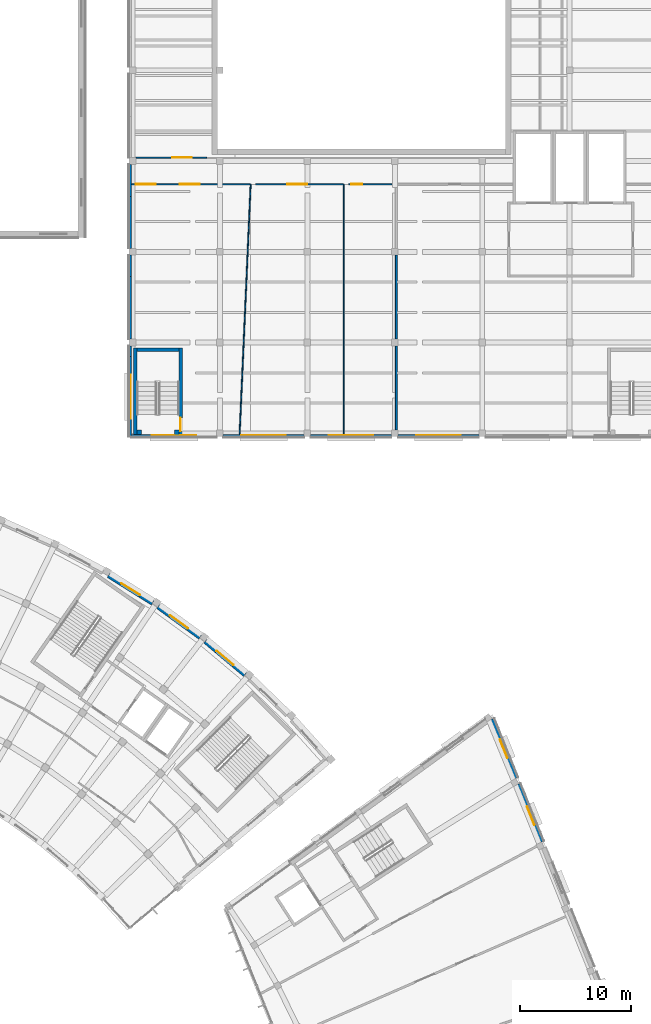
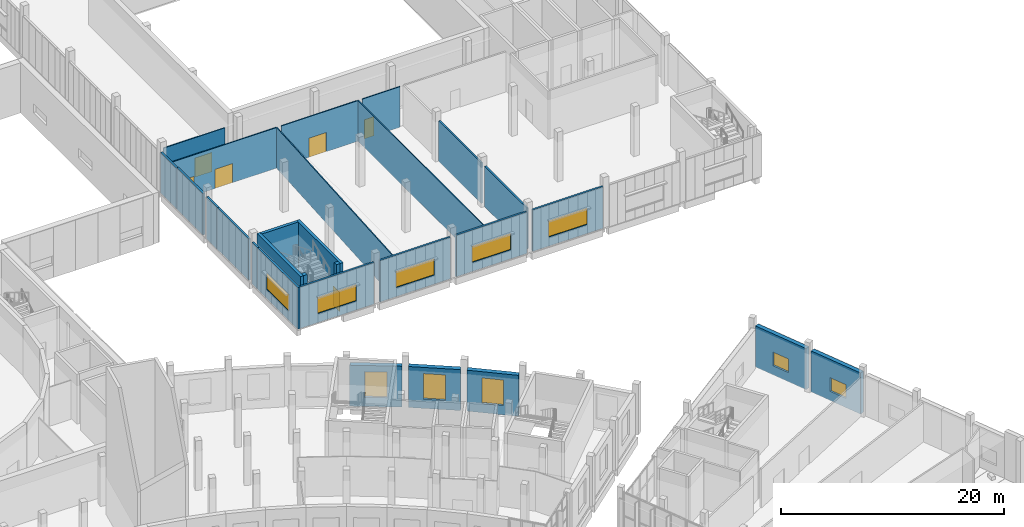
# One storey, part 44 of 87: 28 walls, 10 windows, 6 doors, 16 openings.
"""IFC4 building model written with IfcOpenShell, lengths in metres."""

from ifc_helpers import new_model, si_unit, direction, frame, frame_2d, origin, place, context, subcontext, project, spatial, rectangle, extrude, material, layer, layer_set, type_object, element, fill, save


model = new_model("IFC4")

# Units and contexts
model_context = context("Model", 3, precision=1e-05, world=origin(), true_north=direction((0.0, 1.0)))
body_context = subcontext(model_context, "Body", "Model", "MODEL_VIEW")
ifc_project = project(units=[si_unit("LENGTHUNIT", "METRE"), si_unit("AREAUNIT", "SQUARE_METRE"), si_unit("VOLUMEUNIT", "CUBIC_METRE"), si_unit("PLANEANGLEUNIT", "RADIAN"), si_unit("MASSUNIT", "GRAM", prefix="KILO")], contexts=[model_context])

# Site, building, storey
site_placement = place(None, origin())
site = spatial("IfcSite", under=ifc_project, at=site_placement, CompositionType="ELEMENT")
building_placement = place(site_placement, origin())
building = spatial("IfcBuilding", under=site, at=building_placement, Name="Lunette Opera House", CompositionType="ELEMENT")
storey_placement = place(building_placement, frame((0.0, 0.0, 11.5)))
storey = spatial("IfcBuildingStorey", under=building, at=storey_placement, Name="L02", CompositionType="ELEMENT", Elevation=11.5)

# Walls
ifc_material_1 = material(Name="Plastered clay blockwork", Category="masonry")
ifc_layer_1 = layer(ifc_material_1, 0.175048828125)
ifc_layer_set_1 = layer_set([ifc_layer_1], Name="Plastered clay blockwork")
wall_type_1 = type_object("IfcWallType", Name="ACOUSTIC BLOCK PARTITION 175", PredefinedType="PARTITIONING", material=ifc_layer_set_1)
for number, where, z_axis, x_axis, name in (
    (1, (160.137939453125, 94.39990234375, 0.0), (0.0, 0.0, 1.0), (0.0, -1.0, 0.0), "Partition Prop Store"),
    (2, (160.137939453125, 86.199951171875, 0.0), (0.0, 0.0, 1.0), (0.0, -1.0, 0.0), "Partition Prop Store"),
):
    element("IfcWall", number, at=place(storey_placement, frame(where, z_axis=z_axis, x_axis=x_axis)), inside=storey, type_object=wall_type_1, Name=name, PredefinedType="PARTITIONING", context=body_context, shape_type="SweptSolid", body=[
        extrude(rectangle(XDim=7.599853515625, YDim=0.175048828125, at=frame_2d((3.7998046875, 0.0))), origin(), (0.0, 0.0, 1.0), 4.449951171875),
    ])

# Wall, opening, window
ifc_material_2 = material(Name="Clinker brick", Category="masonry")
ifc_layer_2 = layer(ifc_material_2, 0.449951171875)
ifc_layer_set_2 = layer_set([ifc_layer_2], Name="Clinker brick")
wall_type_2 = type_object("IfcWallType", Name="ARM RAIN SCREEN WALL 450", PredefinedType="SOLIDWALL", material=ifc_layer_set_2)
wall_1_placement = place(storey_placement, frame((134.14208984375, 65.464111328125, 0.0), z_axis=(0.0, 0.0, 1.0), x_axis=(0.84803632456, -0.529938102259, 0.0)))
wall_1 = element("IfcWall", 3, at=wall_1_placement, inside=storey, type_object=wall_type_2, Name="Arm Rain Screen Wall 450 BW-CE04 L02", PredefinedType="SOLIDWALL", context=body_context, shape_type="SweptSolid", body=[
    extrude(rectangle(XDim=4.689453125, YDim=0.449951171875, at=frame_2d((2.3447265625, 0.0))), origin(), (0.0, 0.0, 1.0), 4.47998046875),
])
opening_1_placement = place(wall_1_placement, frame((1.343994140625, 0.0, 1.0)))
opening_1 = element("IfcOpeningElement", 4, at=opening_1_placement, cuts=wall_1, Name="Opening FC-N2155", PredefinedType="OPENING", context=body_context, shape_type="SweptSolid", body=[
    extrude(rectangle(XDim=2.0, YDim=2.800048828125, at=frame_2d((1.0, 1.39990234375))), frame((0.0, 0.237060546875, 0.0), z_axis=(0.0, -1.0, 0.0), x_axis=(1.0, 0.0, 0.0)), (0.0, 0.0, 1.0), 0.473876953125),
])
ifc_material_3 = material(Name="Aluminium", Category="aluminium")
window_type_1 = type_object("IfcWindowType", Name="ARM WINDOW 2000 X 2800", PartitioningType="DOUBLE_PANEL_VERTICAL", PredefinedType="WINDOW", material=ifc_material_3)
window_1_placement = place(opening_1_placement, origin())
window_1 = element("IfcWindow", 5, at=window_1_placement, inside=storey, type_object=window_type_1, Name="Arm Window 2000 X 2800 BW-CE04 L02", OverallHeight=2.800048828125, OverallWidth=2.0, PartitioningType="DOUBLE_PANEL_VERTICAL", PredefinedType="WINDOW", context=body_context, shape_type="SweptSolid", body=[
    extrude(rectangle(XDim=2.0, YDim=2.800048828125, at=frame_2d((1.0, 1.39990234375))), frame((0.0, 0.030029296875, 0.0), z_axis=(0.0, -1.0, 0.0), x_axis=(1.0, 0.0, 0.0)), (0.0, 0.0, 1.0), 0.06005859375),
])
fill(opening_1, window_1)

wall_2_placement = place(storey_placement, frame((138.615966796875, 62.64404296875, 0.0), z_axis=(0.0, 0.0, 1.0), x_axis=(0.808981453193, -0.587834167423, 0.0)))
wall_2 = element("IfcWall", 6, at=wall_2_placement, inside=storey, type_object=wall_type_2, Name="Arm Rain Screen Wall 450 BW-CE05 L02", PredefinedType="SOLIDWALL", context=body_context, shape_type="SweptSolid", body=[
    extrude(rectangle(XDim=4.6884765625, YDim=0.449951171875, at=frame_2d((2.34423828125, 0.0))), origin(), (0.0, 0.0, 1.0), 4.47998046875),
])
opening_2_placement = place(wall_2_placement, frame((1.343994140625, 0.0, 1.0)))
opening_2 = element("IfcOpeningElement", 7, at=opening_2_placement, cuts=wall_2, Name="Opening FC-N2160", PredefinedType="OPENING", context=body_context, shape_type="SweptSolid", body=[
    extrude(rectangle(XDim=2.0, YDim=2.800048828125, at=frame_2d((1.0, 1.39990234375))), frame((0.0, 0.237060546875, 0.0), z_axis=(0.0, -1.0, 0.0), x_axis=(1.0, 0.0, 0.0)), (0.0, 0.0, 1.0), 0.473876953125),
])
window_2_placement = place(opening_2_placement, origin())
window_2 = element("IfcWindow", 8, at=window_2_placement, inside=storey, type_object=window_type_1, Name="Arm Window 2000 X 2800 BW-CE05 L02", OverallHeight=2.800048828125, OverallWidth=2.0, PartitioningType="DOUBLE_PANEL_VERTICAL", PredefinedType="WINDOW", context=body_context, shape_type="SweptSolid", body=[
    extrude(rectangle(XDim=2.0, YDim=2.800048828125, at=frame_2d((1.0, 1.39990234375))), frame((0.0, 0.030029296875, 0.0), z_axis=(0.0, -1.0, 0.0), x_axis=(1.0, 0.0, 0.0)), (0.0, 0.0, 1.0), 0.06005859375),
])
fill(opening_2, window_2)

wall_3_placement = place(storey_placement, frame((142.882080078125, 59.51904296875, 0.0), z_axis=(0.0, 0.0, 1.0), x_axis=(0.765928460401, -0.642925807187, 0.0)))
wall_3 = element("IfcWall", 9, at=wall_3_placement, inside=storey, type_object=wall_type_2, Name="Arm Rain Screen Wall 450 BW-CE06 L02", PredefinedType="SOLIDWALL", context=body_context, shape_type="SweptSolid", body=[
    extrude(rectangle(XDim=4.688232421875, YDim=0.449951171875, at=frame_2d((2.34423828125, 0.0))), origin(), (0.0, 0.0, 1.0), 4.47998046875),
])
opening_3_placement = place(wall_3_placement, frame((1.343994140625, 0.0, 1.0)))
opening_3 = element("IfcOpeningElement", 10, at=opening_3_placement, cuts=wall_3, Name="Opening FC-N2165", PredefinedType="OPENING", context=body_context, shape_type="SweptSolid", body=[
    extrude(rectangle(XDim=2.0, YDim=2.800048828125, at=frame_2d((1.0, 1.39990234375))), frame((0.0, 0.237060546875, 0.0), z_axis=(0.0, -1.0, 0.0), x_axis=(1.0, 0.0, 0.0)), (0.0, 0.0, 1.0), 0.473876953125),
])
window_3_placement = place(opening_3_placement, origin())
window_3 = element("IfcWindow", 11, at=window_3_placement, inside=storey, type_object=window_type_1, Name="Arm Window 2000 X 2800 BW-CE06 L02", OverallHeight=2.800048828125, OverallWidth=2.0, PartitioningType="DOUBLE_PANEL_VERTICAL", PredefinedType="WINDOW", context=body_context, shape_type="SweptSolid", body=[
    extrude(rectangle(XDim=2.0, YDim=2.800048828125, at=frame_2d((1.0, 1.39990234375))), frame((0.0, 0.030029296875, 0.0), z_axis=(0.0, -1.0, 0.0), x_axis=(1.0, 0.0, 0.0)), (0.0, 0.0, 1.0), 0.06005859375),
])
fill(opening_3, window_3)

# Walls
ifc_material_4 = material(Name="Concrete C35/45", Category="concrete")
ifc_layer_3 = layer(ifc_material_4, 0.39990234375)
ifc_layer_set_3 = layer_set([ifc_layer_3], Name="Concrete C35/45")
wall_type_3 = type_object("IfcWallType", Name="RC PILASTER 400", PredefinedType="SOLIDWALL", material=ifc_layer_set_3)
wall_4_placement = place(storey_placement, frame((136.699951171875, 78.39990234375, 0.0), z_axis=(0.0, 0.0, 1.0), x_axis=(1.0, 0.0, 0.0)))
element("IfcWall", 12, at=wall_4_placement, inside=storey, type_object=wall_type_3, Name="ST18 pilaster 1", PredefinedType="SOLIDWALL", context=body_context, shape_type="SweptSolid", body=[
    extrude(rectangle(XDim=0.400146484375, YDim=0.39990234375, at=frame_2d((0.2001953125, 0.0))), origin(), (0.0, 0.0, 1.0), 5.5),
])
wall_5_placement = place(storey_placement, frame((140.10009765625, 78.39990234375, 0.0), z_axis=(0.0, 0.0, 1.0), x_axis=(1.0, 0.0, 0.0)))
element("IfcWall", 13, at=wall_5_placement, inside=storey, type_object=wall_type_3, Name="ST18 pilaster 2", PredefinedType="SOLIDWALL", context=body_context, shape_type="SweptSolid", body=[
    extrude(rectangle(XDim=0.39990234375, YDim=0.39990234375, at=frame_2d((0.199951171875, 0.0))), origin(), (0.0, 0.0, 1.0), 5.5),
])

# Wall, opening, door
ifc_material_5 = material(Name="Concrete C35/45", Category="concrete")
ifc_layer_4 = layer(ifc_material_5, 0.300048828125)
ifc_layer_set_4 = layer_set([ifc_layer_4], Name="Concrete C35/45")
wall_type_4 = type_object("IfcWallType", Name="RC STAIR ENCLOSURE WALL 300", PredefinedType="SOLIDWALL", material=ifc_layer_set_4)
wall_6_placement = place(storey_placement, frame((140.64990234375, 78.199951171875, 0.0), z_axis=(0.0, 0.0, 1.0), x_axis=(0.0, 1.0, 0.0)))
wall_6 = element("IfcWall", 14, at=wall_6_placement, inside=storey, type_object=wall_type_4, Name="ST18 enclosure wall 1", PredefinedType="SOLIDWALL", context=body_context, shape_type="SweptSolid", body=[
    extrude(rectangle(XDim=7.800048828125, YDim=0.300048828125, at=frame_2d((3.89990234375, 0.0))), origin(), (0.0, 0.0, 1.0), 5.5),
])
opening_4_placement = place(wall_6_placement, frame((0.300048828125, 0.0, 0.0)))
opening_4 = element("IfcOpeningElement", 15, at=opening_4_placement, cuts=wall_6, Name="Opening WW-D7004", PredefinedType="OPENING", context=body_context, shape_type="SweptSolid", body=[
    extrude(rectangle(XDim=1.199951171875, YDim=2.10009765625, at=frame_2d((0.60009765625, 1.050048828125))), frame((0.0, 0.162109375, 0.0), z_axis=(0.0, -1.0, 0.0), x_axis=(1.0, 0.0, 0.0)), (0.0, 0.0, 1.0), 0.323974609375),
])
ifc_material_6 = material(Name="Steel", Category="steel")
door_type_1 = type_object("IfcDoorType", Name="FIRE DOOR 1200 X 2100", OperationType="SINGLE_SWING_LEFT", PredefinedType="DOOR", material=ifc_material_6)
door_1_placement = place(opening_4_placement, origin())
door_1 = element("IfcDoor", 16, at=door_1_placement, inside=storey, type_object=door_type_1, Name="ST18 stair door", OperationType="SINGLE_SWING_LEFT", OverallHeight=2.10009765625, OverallWidth=1.199951171875, PredefinedType="DOOR", context=body_context, shape_type="SweptSolid", body=[
    extrude(rectangle(XDim=1.199951171875, YDim=2.10009765625, at=frame_2d((0.60009765625, 1.050048828125))), frame((0.0, 0.02490234375, 0.0), z_axis=(0.0, -1.0, 0.0), x_axis=(1.0, 0.0, 0.0)), (0.0, 0.0, 1.0), 0.050048828125),
])
fill(opening_4, door_1)

# Walls
wall_7_placement = place(storey_placement, frame((140.5, 85.85009765625, 0.0), z_axis=(0.0, 0.0, 1.0), x_axis=(-1.0, 0.0, 0.0)))
element("IfcWall", 17, at=wall_7_placement, inside=storey, type_object=wall_type_4, Name="ST18 enclosure wall 2", PredefinedType="SOLIDWALL", context=body_context, shape_type="SweptSolid", body=[
    extrude(rectangle(XDim=3.800048828125, YDim=0.300048828125, at=frame_2d((1.89990234375, 0.0))), origin(), (0.0, 0.0, 1.0), 5.5),
])
wall_8_placement = place(storey_placement, frame((136.550048828125, 86.0, 0.0), z_axis=(0.0, 0.0, 1.0), x_axis=(0.0, -1.0, 0.0)))
element("IfcWall", 18, at=wall_8_placement, inside=storey, type_object=wall_type_4, Name="ST18 enclosure wall 3", PredefinedType="SOLIDWALL", context=body_context, shape_type="SweptSolid", body=[
    extrude(rectangle(XDim=7.800048828125, YDim=0.300048828125, at=frame_2d((3.89990234375, 0.0))), origin(), (0.0, 0.0, 1.0), 5.5),
])
ifc_material_7 = material(Name="Gypsum board on steel studs", Category="steel")
ifc_layer_5 = layer(ifc_material_7, 0.10009765625)
ifc_layer_set_5 = layer_set([ifc_layer_5], Name="Gypsum board on steel studs")
wall_type_5 = type_object("IfcWallType", Name="STUD PARTITION 100", PredefinedType="PARTITIONING", material=ifc_layer_set_5)
wall_9_placement = place(storey_placement, frame((146.97900390625, 100.800048828125, 0.0), z_axis=(0.0, 0.0, 1.0), x_axis=(-0.044161260763, -0.999024415642, 0.0)))
element("IfcWall", 19, at=wall_9_placement, inside=storey, type_object=wall_type_5, Name="Partition Model Making Studio", PredefinedType="PARTITIONING", context=body_context, shape_type="SweptSolid", body=[
    extrude(rectangle(XDim=22.6220703125, YDim=0.10009765625, at=frame_2d((11.31103515625, 0.0))), origin(), (0.0, 0.0, 1.0), 4.449951171875),
])
wall_10_placement = place(storey_placement, frame((155.40087890625, 100.800048828125, 0.0), z_axis=(0.0, 0.0, 1.0), x_axis=(0.0, -1.0, 0.0)))
element("IfcWall", 20, at=wall_10_placement, inside=storey, type_object=wall_type_5, Name="Partition Workshop Staff Room", PredefinedType="PARTITIONING", context=body_context, shape_type="SweptSolid", body=[
    extrude(rectangle(XDim=22.60009765625, YDim=0.10009765625, at=frame_2d((11.300048828125, 0.0))), origin(), (0.0, 0.0, 1.0), 4.449951171875),
])

# Wall, openings, doors
wall_11_placement = place(storey_placement, frame((136.199951171875, 100.800048828125, 0.0), z_axis=(0.0, 0.0, 1.0), x_axis=(1.0, 0.0, 0.0)))
wall_11 = element("IfcWall", 21, at=wall_11_placement, inside=storey, type_object=wall_type_5, Name="Partition Corridor L02 Workshop West South", PredefinedType="PARTITIONING", context=body_context, shape_type="SweptSolid", body=[
    extrude(rectangle(XDim=10.72802734375, YDim=0.10009765625, at=frame_2d((5.364013671875, 0.0))), origin(), (0.0, 0.0, 1.0), 4.449951171875),
])
opening_5_placement = place(wall_11_placement, frame((4.389892578125, 0.0, 0.0)))
opening_5 = element("IfcOpeningElement", 22, at=opening_5_placement, cuts=wall_11, Name="Opening WW-D3033", PredefinedType="OPENING", context=body_context, shape_type="SweptSolid", body=[
    extrude(rectangle(XDim=1.800048828125, YDim=2.10009765625, at=frame_2d((0.89990234375, 1.050048828125))), frame((0.0, 0.06201171875, 0.0), z_axis=(0.0, -1.0, 0.0), x_axis=(1.0, 0.0, 0.0)), (0.0, 0.0, 1.0), 0.1240234375),
])
opening_6_placement = place(wall_11_placement, frame((0.389892578125, 0.0, 0.0)))
opening_6 = element("IfcOpeningElement", 23, at=opening_6_placement, cuts=wall_11, Name="Opening WW-D3034", PredefinedType="OPENING", context=body_context, shape_type="SweptSolid", body=[
    extrude(rectangle(XDim=1.800048828125, YDim=2.10009765625, at=frame_2d((0.89990234375, 1.050048828125))), frame((0.0, 0.06201171875, 0.0), z_axis=(0.0, -1.0, 0.0), x_axis=(1.0, 0.0, 0.0)), (0.0, 0.0, 1.0), 0.1240234375),
])
ifc_material_8 = material(Name="Timber", Category="wood")
door_type_2 = type_object("IfcDoorType", Name="DOUBLE FLUSH DOOR 1800 X 2100", OperationType="DOUBLE_DOOR_SINGLE_SWING", PredefinedType="DOOR", material=ifc_material_8)
door_2_placement = place(opening_5_placement, origin())
door_2 = element("IfcDoor", 24, at=door_2_placement, inside=storey, type_object=door_type_2, Name="Textile Studio door", OperationType="DOUBLE_DOOR_SINGLE_SWING", OverallHeight=2.10009765625, OverallWidth=1.800048828125, PredefinedType="DOOR", context=body_context, shape_type="SweptSolid", body=[
    extrude(rectangle(XDim=1.800048828125, YDim=2.10009765625, at=frame_2d((0.89990234375, 1.050048828125))), frame((0.0, 0.02490234375, 0.0), z_axis=(0.0, -1.0, 0.0), x_axis=(1.0, 0.0, 0.0)), (0.0, 0.0, 1.0), 0.050048828125),
])
fill(opening_5, door_2)
door_3_placement = place(opening_6_placement, origin())
door_3 = element("IfcDoor", 25, at=door_3_placement, inside=storey, type_object=door_type_2, Name="Textile Studio door", OperationType="DOUBLE_DOOR_SINGLE_SWING", OverallHeight=2.10009765625, OverallWidth=1.800048828125, PredefinedType="DOOR", context=body_context, shape_type="SweptSolid", body=[
    extrude(rectangle(XDim=1.800048828125, YDim=2.10009765625, at=frame_2d((0.89990234375, 1.050048828125))), frame((0.0, 0.02490234375, 0.0), z_axis=(0.0, -1.0, 0.0), x_axis=(1.0, 0.0, 0.0)), (0.0, 0.0, 1.0), 0.050048828125),
])
fill(opening_6, door_3)

# Wall, opening, door
wall_12_placement = place(storey_placement, frame((143.0, 103.199951171875, 0.0), z_axis=(0.0, 0.0, 1.0), x_axis=(-1.0, 0.0, 0.0)))
wall_12 = element("IfcWall", 26, at=wall_12_placement, inside=storey, type_object=wall_type_5, Name="Partition Corridor L02 Workshop West South", PredefinedType="PARTITIONING", context=body_context, shape_type="SweptSolid", body=[
    extrude(rectangle(XDim=6.39892578125, YDim=0.10009765625, at=frame_2d((3.199462890625, 0.0))), origin(), (0.0, 0.0, 1.0), 4.35009765625),
])
opening_7_placement = place(wall_12_placement, frame((1.326904296875, 0.0, 0.0)))
opening_7 = element("IfcOpeningElement", 27, at=opening_7_placement, cuts=wall_12, Name="Opening WW-D3035", PredefinedType="OPENING", context=body_context, shape_type="SweptSolid", body=[
    extrude(rectangle(XDim=1.800048828125, YDim=2.10009765625, at=frame_2d((0.89990234375, 1.050048828125))), frame((0.0, 0.06201171875, 0.0), z_axis=(0.0, -1.0, 0.0), x_axis=(1.0, 0.0, 0.0)), (0.0, 0.0, 1.0), 0.1240234375),
])
door_4_placement = place(opening_7_placement, origin())
door_4 = element("IfcDoor", 28, at=door_4_placement, inside=storey, type_object=door_type_2, Name="Armoury and Props Workshop door", OperationType="DOUBLE_DOOR_SINGLE_SWING", OverallHeight=2.10009765625, OverallWidth=1.800048828125, PredefinedType="DOOR", context=body_context, shape_type="SweptSolid", body=[
    extrude(rectangle(XDim=1.800048828125, YDim=2.10009765625, at=frame_2d((0.89990234375, 1.050048828125))), frame((0.0, 0.02490234375, 0.0), z_axis=(0.0, -1.0, 0.0), x_axis=(1.0, 0.0, 0.0)), (0.0, 0.0, 1.0), 0.050048828125),
])
fill(opening_7, door_4)

wall_13_placement = place(storey_placement, frame((147.427978515625, 100.800048828125, 0.0), z_axis=(0.0, 0.0, 1.0), x_axis=(1.0, 0.0, 0.0)))
wall_13 = element("IfcWall", 29, at=wall_13_placement, inside=storey, type_object=wall_type_5, Name="Partition Corridor L02 Workshop West South", PredefinedType="PARTITIONING", context=body_context, shape_type="SweptSolid", body=[
    extrude(rectangle(XDim=7.923095703125, YDim=0.10009765625, at=frame_2d((3.96142578125, 0.0))), origin(), (0.0, 0.0, 1.0), 4.449951171875),
])
opening_8_placement = place(wall_13_placement, frame((2.862060546875, 0.0, 0.0)))
opening_8 = element("IfcOpeningElement", 30, at=opening_8_placement, cuts=wall_13, Name="Opening WW-D3036", PredefinedType="OPENING", context=body_context, shape_type="SweptSolid", body=[
    extrude(rectangle(XDim=1.800048828125, YDim=2.10009765625, at=frame_2d((0.89990234375, 1.050048828125))), frame((0.0, 0.06201171875, 0.0), z_axis=(0.0, -1.0, 0.0), x_axis=(1.0, 0.0, 0.0)), (0.0, 0.0, 1.0), 0.1240234375),
])
door_5_placement = place(opening_8_placement, origin())
door_5 = element("IfcDoor", 31, at=door_5_placement, inside=storey, type_object=door_type_2, Name="Model Making Studio door", OperationType="DOUBLE_DOOR_SINGLE_SWING", OverallHeight=2.10009765625, OverallWidth=1.800048828125, PredefinedType="DOOR", context=body_context, shape_type="SweptSolid", body=[
    extrude(rectangle(XDim=1.800048828125, YDim=2.10009765625, at=frame_2d((0.89990234375, 1.050048828125))), frame((0.0, 0.02490234375, 0.0), z_axis=(0.0, -1.0, 0.0), x_axis=(1.0, 0.0, 0.0)), (0.0, 0.0, 1.0), 0.050048828125),
])
fill(opening_8, door_5)

wall_14_placement = place(storey_placement, frame((155.85107421875, 100.800048828125, 0.0), z_axis=(0.0, 0.0, 1.0), x_axis=(1.0, 0.0, 0.0)))
wall_14 = element("IfcWall", 32, at=wall_14_placement, inside=storey, type_object=wall_type_5, Name="Partition Corridor L02 Workshop West South", PredefinedType="PARTITIONING", context=body_context, shape_type="SweptSolid", body=[
    extrude(rectangle(XDim=3.875, YDim=0.10009765625, at=frame_2d((1.9375, 0.0))), origin(), (0.0, 0.0, 1.0), 4.449951171875),
])
opening_9_placement = place(wall_14_placement, frame((0.199951171875, 0.0, 0.0)))
opening_9 = element("IfcOpeningElement", 33, at=opening_9_placement, cuts=wall_14, Name="Opening WW-D3038", PredefinedType="OPENING", context=body_context, shape_type="SweptSolid", body=[
    extrude(rectangle(XDim=1.0, YDim=2.10009765625, at=frame_2d((0.5, 1.050048828125))), frame((0.0, 0.06201171875, 0.0), z_axis=(0.0, -1.0, 0.0), x_axis=(1.0, 0.0, 0.0)), (0.0, 0.0, 1.0), 0.1240234375),
])
ifc_material_9 = material(Name="Timber", Category="wood")
door_type_3 = type_object("IfcDoorType", Name="FLUSH DOOR 1000 X 2100", OperationType="SINGLE_SWING_LEFT", PredefinedType="DOOR", material=ifc_material_9)
door_6_placement = place(opening_9_placement, origin())
door_6 = element("IfcDoor", 34, at=door_6_placement, inside=storey, type_object=door_type_3, Name="Workshop Staff Room door", OperationType="SINGLE_SWING_LEFT", OverallHeight=2.10009765625, OverallWidth=1.0, PredefinedType="DOOR", context=body_context, shape_type="SweptSolid", body=[
    extrude(rectangle(XDim=1.0, YDim=2.10009765625, at=frame_2d((0.5, 1.050048828125))), frame((0.0, 0.02490234375, 0.0), z_axis=(0.0, -1.0, 0.0), x_axis=(1.0, 0.0, 0.0)), (0.0, 0.0, 1.0), 0.050048828125),
])
fill(opening_9, door_6)

# Wall, opening, window
ifc_material_10 = material(Name="Clinker brick", Category="masonry")
ifc_layer_6 = layer(ifc_material_10, 0.419921875)
ifc_layer_set_6 = layer_set([ifc_layer_6], Name="Clinker brick")
wall_type_6 = type_object("IfcWallType", Name="STUDIO BRICK WALL 420", PredefinedType="SOLIDWALL", material=ifc_layer_set_6)
wall_15_placement = place(storey_placement, frame((173.239990234375, 41.381103515625, 0.0), z_axis=(0.0, 0.0, 1.0), x_axis=(-0.374669966745, 0.927158247561, 0.0)))
wall_15 = element("IfcWall", 35, at=wall_15_placement, inside=storey, type_object=wall_type_6, Name="Studio Brick Wall 420 F13-2 L02", PredefinedType="SOLIDWALL", context=body_context, shape_type="SweptSolid", body=[
    extrude(rectangle(XDim=5.6181640625, YDim=0.419921875, at=frame_2d((2.80908203125, 0.0))), origin(), (0.0, 0.0, 1.0), 4.5),
])
opening_10_placement = place(wall_15_placement, frame((1.656005859375, 0.0, 1.0)))
opening_10 = element("IfcOpeningElement", 36, at=opening_10_placement, cuts=wall_15, Name="Opening SB-N2020", PredefinedType="OPENING", context=body_context, shape_type="SweptSolid", body=[
    extrude(rectangle(XDim=1.800048828125, YDim=1.5, at=frame_2d((0.89990234375, 0.75))), frame((0.0, 0.221923828125, 0.0), z_axis=(0.0, -1.0, 0.0), x_axis=(1.0, 0.0, 0.0)), (0.0, 0.0, 1.0), 0.44384765625),
])
ifc_material_11 = material(Name="Aluminium", Category="aluminium")
window_type_2 = type_object("IfcWindowType", Name="STUDIO WINDOW 1800 X 1500", PartitioningType="DOUBLE_PANEL_VERTICAL", PredefinedType="WINDOW", material=ifc_material_11)
window_4_placement = place(opening_10_placement, origin())
window_4 = element("IfcWindow", 37, at=window_4_placement, inside=storey, type_object=window_type_2, Name="Studio Window 1800 X 1500 F13-2 L02", OverallHeight=1.5, OverallWidth=1.800048828125, PartitioningType="DOUBLE_PANEL_VERTICAL", PredefinedType="WINDOW", context=body_context, shape_type="SweptSolid", body=[
    extrude(rectangle(XDim=1.800048828125, YDim=1.5, at=frame_2d((0.89990234375, 0.75))), frame((0.0, 0.030029296875, 0.0), z_axis=(0.0, -1.0, 0.0), x_axis=(1.0, 0.0, 0.0)), (0.0, 0.0, 1.0), 0.06005859375),
])
fill(opening_10, window_4)

wall_16_placement = place(storey_placement, frame((170.9208984375, 47.1201171875, 0.0), z_axis=(0.0, 0.0, 1.0), x_axis=(-0.374587433277, 0.927191595535, 0.0)))
wall_16 = element("IfcWall", 38, at=wall_16_placement, inside=storey, type_object=wall_type_6, Name="Studio Brick Wall 420 F14 L02", PredefinedType="SOLIDWALL", context=body_context, shape_type="SweptSolid", body=[
    extrude(rectangle(XDim=5.776611328125, YDim=0.419921875, at=frame_2d((2.88818359375, 0.0))), origin(), (0.0, 0.0, 1.0), 4.5),
])
opening_11_placement = place(wall_16_placement, frame((1.988037109375, 0.0, 1.0)))
opening_11 = element("IfcOpeningElement", 39, at=opening_11_placement, cuts=wall_16, Name="Opening SB-N2021", PredefinedType="OPENING", context=body_context, shape_type="SweptSolid", body=[
    extrude(rectangle(XDim=1.800048828125, YDim=1.5, at=frame_2d((0.89990234375, 0.75))), frame((0.0, 0.221923828125, 0.0), z_axis=(0.0, -1.0, 0.0), x_axis=(1.0, 0.0, 0.0)), (0.0, 0.0, 1.0), 0.44384765625),
])
window_5_placement = place(opening_11_placement, origin())
window_5 = element("IfcWindow", 40, at=window_5_placement, inside=storey, type_object=window_type_2, Name="Studio Window 1800 X 1500 F14 L02", OverallHeight=1.5, OverallWidth=1.800048828125, PartitioningType="DOUBLE_PANEL_VERTICAL", PredefinedType="WINDOW", context=body_context, shape_type="SweptSolid", body=[
    extrude(rectangle(XDim=1.800048828125, YDim=1.5, at=frame_2d((0.89990234375, 0.75))), frame((0.0, 0.030029296875, 0.0), z_axis=(0.0, -1.0, 0.0), x_axis=(1.0, 0.0, 0.0)), (0.0, 0.0, 1.0), 0.06005859375),
])
fill(opening_11, window_5)

# Walls
ifc_material_12 = material(Name="Insulated aluminium sandwich panel", Category="aluminium")
ifc_layer_7 = layer(ifc_material_12, 0.199951171875)
ifc_layer_set_7 = layer_set([ifc_layer_7], Name="Insulated aluminium sandwich panel")
wall_type_7 = type_object("IfcWallType", Name="WORKSHOP METAL PANEL WALL 200", PredefinedType="SOLIDWALL", material=ifc_layer_set_7)
wall_17_placement = place(storey_placement, frame((136.10009765625, 102.60009765625, 0.0), z_axis=(0.0, 0.0, 1.0), x_axis=(0.0, -1.0, 0.0)))
element("IfcWall", 41, at=wall_17_placement, inside=storey, type_object=wall_type_7, Name="Workshop Metal Panel Wall 200 F19-2 L02", PredefinedType="SOLIDWALL", context=body_context, shape_type="SweptSolid", body=[
    extrude(rectangle(XDim=2.925048828125, YDim=0.199951171875, at=frame_2d((1.46240234375, 0.0))), origin(), (0.0, 0.0, 1.0), 4.449951171875),
])
wall_18_placement = place(storey_placement, frame((136.10009765625, 99.675048828125, 0.0), z_axis=(0.0, 0.0, 1.0), x_axis=(0.0, -1.0, 0.0)))
element("IfcWall", 42, at=wall_18_placement, inside=storey, type_object=wall_type_7, Name="Workshop Metal Panel Wall 200 F20-1 L02", PredefinedType="SOLIDWALL", context=body_context, shape_type="SweptSolid", body=[
    extrude(rectangle(XDim=4.675048828125, YDim=0.199951171875, at=frame_2d((2.33740234375, 0.0))), origin(), (0.0, 0.0, 1.0), 4.550048828125),
])
wall_19_placement = place(storey_placement, frame((136.10009765625, 94.39990234375, 0.0), z_axis=(0.0, 0.0, 1.0), x_axis=(0.0, -1.0, 0.0)))
element("IfcWall", 43, at=wall_19_placement, inside=storey, type_object=wall_type_7, Name="Workshop Metal Panel Wall 200 F20-2 L02", PredefinedType="SOLIDWALL", context=body_context, shape_type="SweptSolid", body=[
    extrude(rectangle(XDim=1.949951171875, YDim=0.199951171875, at=frame_2d((0.97509765625, 0.0))), origin(), (0.0, 0.0, 1.0), 4.550048828125),
])
wall_20_placement = place(storey_placement, frame((136.10009765625, 92.449951171875, 0.0), z_axis=(0.0, 0.0, 1.0), x_axis=(0.0, -1.0, 0.0)))
element("IfcWall", 44, at=wall_20_placement, inside=storey, type_object=wall_type_7, Name="Workshop Metal Panel Wall 200 F21-1 L02", PredefinedType="SOLIDWALL", context=body_context, shape_type="SweptSolid", body=[
    extrude(rectangle(XDim=5.64990234375, YDim=0.199951171875, at=frame_2d((2.824951171875, 0.0))), origin(), (0.0, 0.0, 1.0), 4.550048828125),
])
wall_21_placement = place(storey_placement, frame((136.10009765625, 86.199951171875, 0.0), z_axis=(0.0, 0.0, 1.0), x_axis=(0.0, -1.0, 0.0)))
element("IfcWall", 45, at=wall_21_placement, inside=storey, type_object=wall_type_7, Name="Workshop Metal Panel Wall 200 F21-2 L02", PredefinedType="SOLIDWALL", context=body_context, shape_type="SweptSolid", body=[
    extrude(rectangle(XDim=0.974853515625, YDim=0.199951171875, at=frame_2d((0.4873046875, 0.0))), origin(), (0.0, 0.0, 1.0), 4.550048828125),
])

# Wall, opening, window
wall_22_placement = place(storey_placement, frame((136.10009765625, 85.22509765625, 0.0), z_axis=(0.0, 0.0, 1.0), x_axis=(0.0, -1.0, 0.0)))
wall_22 = element("IfcWall", 46, at=wall_22_placement, inside=storey, type_object=wall_type_7, Name="Workshop Metal Panel Wall 200 F22 L02", PredefinedType="SOLIDWALL", context=body_context, shape_type="SweptSolid", body=[
    extrude(rectangle(XDim=7.22509765625, YDim=0.199951171875, at=frame_2d((3.612548828125, 0.0))), origin(), (0.0, 0.0, 1.0), 4.550048828125),
])
opening_12_placement = place(wall_22_placement, frame((1.612060546875, 0.0, 1.0)))
opening_12 = element("IfcOpeningElement", 47, at=opening_12_placement, cuts=wall_22, Name="Opening WW-N2026", PredefinedType="OPENING", context=body_context, shape_type="SweptSolid", body=[
    extrude(rectangle(XDim=4.0, YDim=1.800048828125, at=frame_2d((2.0, 0.89990234375))), frame((0.0, 0.112060546875, 0.0), z_axis=(0.0, -1.0, 0.0), x_axis=(1.0, 0.0, 0.0)), (0.0, 0.0, 1.0), 0.223876953125),
])
ifc_material_13 = material(Name="Aluminium", Category="aluminium")
window_type_3 = type_object("IfcWindowType", Name="WORKSHOP RIBBON WINDOW 4000 X 1800", PartitioningType="DOUBLE_PANEL_VERTICAL", PredefinedType="WINDOW", material=ifc_material_13)
window_6_placement = place(opening_12_placement, origin())
window_6 = element("IfcWindow", 48, at=window_6_placement, inside=storey, type_object=window_type_3, Name="Workshop Ribbon Window 4000 X 1800 F22 L02", OverallHeight=1.800048828125, OverallWidth=4.0, PartitioningType="DOUBLE_PANEL_VERTICAL", PredefinedType="WINDOW", context=body_context, shape_type="SweptSolid", body=[
    extrude(rectangle(XDim=4.0, YDim=1.800048828125, at=frame_2d((2.0, 0.89990234375))), frame((0.0, 0.030029296875, 0.0), z_axis=(0.0, -1.0, 0.0), x_axis=(1.0, 0.0, 0.0)), (0.0, 0.0, 1.0), 0.06005859375),
])
fill(opening_12, window_6)

wall_23_placement = place(storey_placement, frame((136.199951171875, 78.10009765625, 0.0), z_axis=(0.0, 0.0, 1.0), x_axis=(1.0, 0.0, 0.0)))
wall_23 = element("IfcWall", 49, at=wall_23_placement, inside=storey, type_object=wall_type_7, Name="Workshop Metal Panel Wall 200 F23 L02", PredefinedType="SOLIDWALL", context=body_context, shape_type="SweptSolid", body=[
    extrude(rectangle(XDim=7.699951171875, YDim=0.199951171875, at=frame_2d((3.85009765625, 0.0))), origin(), (0.0, 0.0, 1.0), 4.550048828125),
])
opening_13_placement = place(wall_23_placement, frame((1.85009765625, 0.0, 1.0)))
opening_13 = element("IfcOpeningElement", 50, at=opening_13_placement, cuts=wall_23, Name="Opening WW-N2027", PredefinedType="OPENING", context=body_context, shape_type="SweptSolid", body=[
    extrude(rectangle(XDim=4.0, YDim=1.800048828125, at=frame_2d((2.0, 0.89990234375))), frame((0.0, 0.112060546875, 0.0), z_axis=(0.0, -1.0, 0.0), x_axis=(1.0, 0.0, 0.0)), (0.0, 0.0, 1.0), 0.223876953125),
])
window_7_placement = place(opening_13_placement, origin())
window_7 = element("IfcWindow", 51, at=window_7_placement, inside=storey, type_object=window_type_3, Name="Workshop Ribbon Window 4000 X 1800 F23 L02", OverallHeight=1.800048828125, OverallWidth=4.0, PartitioningType="DOUBLE_PANEL_VERTICAL", PredefinedType="WINDOW", context=body_context, shape_type="SweptSolid", body=[
    extrude(rectangle(XDim=4.0, YDim=1.800048828125, at=frame_2d((2.0, 0.89990234375))), frame((0.0, 0.030029296875, 0.0), z_axis=(0.0, -1.0, 0.0), x_axis=(1.0, 0.0, 0.0)), (0.0, 0.0, 1.0), 0.06005859375),
])
fill(opening_13, window_7)

wall_24_placement = place(storey_placement, frame((144.5, 78.10009765625, 0.0), z_axis=(0.0, 0.0, 1.0), x_axis=(1.0, 0.0, 0.0)))
wall_24 = element("IfcWall", 52, at=wall_24_placement, inside=storey, type_object=wall_type_7, Name="Workshop Metal Panel Wall 200 F24 L02", PredefinedType="SOLIDWALL", context=body_context, shape_type="SweptSolid", body=[
    extrude(rectangle(XDim=7.300048828125, YDim=0.199951171875, at=frame_2d((3.64990234375, 0.0))), origin(), (0.0, 0.0, 1.0), 4.550048828125),
])
opening_14_placement = place(wall_24_placement, frame((1.64990234375, 0.0, 1.0)))
opening_14 = element("IfcOpeningElement", 53, at=opening_14_placement, cuts=wall_24, Name="Opening WW-N2028", PredefinedType="OPENING", context=body_context, shape_type="SweptSolid", body=[
    extrude(rectangle(XDim=4.0, YDim=1.800048828125, at=frame_2d((2.0, 0.89990234375))), frame((0.0, 0.112060546875, 0.0), z_axis=(0.0, -1.0, 0.0), x_axis=(1.0, 0.0, 0.0)), (0.0, 0.0, 1.0), 0.223876953125),
])
window_8_placement = place(opening_14_placement, origin())
window_8 = element("IfcWindow", 54, at=window_8_placement, inside=storey, type_object=window_type_3, Name="Workshop Ribbon Window 4000 X 1800 F24 L02", OverallHeight=1.800048828125, OverallWidth=4.0, PartitioningType="DOUBLE_PANEL_VERTICAL", PredefinedType="WINDOW", context=body_context, shape_type="SweptSolid", body=[
    extrude(rectangle(XDim=4.0, YDim=1.800048828125, at=frame_2d((2.0, 0.89990234375))), frame((0.0, 0.030029296875, 0.0), z_axis=(0.0, -1.0, 0.0), x_axis=(1.0, 0.0, 0.0)), (0.0, 0.0, 1.0), 0.06005859375),
])
fill(opening_14, window_8)

wall_25_placement = place(storey_placement, frame((152.39990234375, 78.10009765625, 0.0), z_axis=(0.0, 0.0, 1.0), x_axis=(1.0, 0.0, 0.0)))
wall_25 = element("IfcWall", 55, at=wall_25_placement, inside=storey, type_object=wall_type_7, Name="Workshop Metal Panel Wall 200 F25 L02", PredefinedType="SOLIDWALL", context=body_context, shape_type="SweptSolid", body=[
    extrude(rectangle(XDim=7.300048828125, YDim=0.199951171875, at=frame_2d((3.64990234375, 0.0))), origin(), (0.0, 0.0, 1.0), 4.550048828125),
])
opening_15_placement = place(wall_25_placement, frame((1.64990234375, 0.0, 1.0)))
opening_15 = element("IfcOpeningElement", 56, at=opening_15_placement, cuts=wall_25, Name="Opening WW-N2029", PredefinedType="OPENING", context=body_context, shape_type="SweptSolid", body=[
    extrude(rectangle(XDim=4.0, YDim=1.800048828125, at=frame_2d((2.0, 0.89990234375))), frame((0.0, 0.112060546875, 0.0), z_axis=(0.0, -1.0, 0.0), x_axis=(1.0, 0.0, 0.0)), (0.0, 0.0, 1.0), 0.223876953125),
])
window_9_placement = place(opening_15_placement, origin())
window_9 = element("IfcWindow", 57, at=window_9_placement, inside=storey, type_object=window_type_3, Name="Workshop Ribbon Window 4000 X 1800 F25 L02", OverallHeight=1.800048828125, OverallWidth=4.0, PartitioningType="DOUBLE_PANEL_VERTICAL", PredefinedType="WINDOW", context=body_context, shape_type="SweptSolid", body=[
    extrude(rectangle(XDim=4.0, YDim=1.800048828125, at=frame_2d((2.0, 0.89990234375))), frame((0.0, 0.030029296875, 0.0), z_axis=(0.0, -1.0, 0.0), x_axis=(1.0, 0.0, 0.0)), (0.0, 0.0, 1.0), 0.06005859375),
])
fill(opening_15, window_9)

wall_26_placement = place(storey_placement, frame((160.300048828125, 78.10009765625, 0.0), z_axis=(0.0, 0.0, 1.0), x_axis=(1.0, 0.0, 0.0)))
wall_26 = element("IfcWall", 58, at=wall_26_placement, inside=storey, type_object=wall_type_7, Name="Workshop Metal Panel Wall 200 F26 L02", PredefinedType="SOLIDWALL", context=body_context, shape_type="SweptSolid", body=[
    extrude(rectangle(XDim=7.300048828125, YDim=0.199951171875, at=frame_2d((3.64990234375, 0.0))), origin(), (0.0, 0.0, 1.0), 4.550048828125),
])
opening_16_placement = place(wall_26_placement, frame((1.64990234375, 0.0, 1.0)))
opening_16 = element("IfcOpeningElement", 59, at=opening_16_placement, cuts=wall_26, Name="Opening WW-N2030", PredefinedType="OPENING", context=body_context, shape_type="SweptSolid", body=[
    extrude(rectangle(XDim=4.0, YDim=1.800048828125, at=frame_2d((2.0, 0.89990234375))), frame((0.0, 0.112060546875, 0.0), z_axis=(0.0, -1.0, 0.0), x_axis=(1.0, 0.0, 0.0)), (0.0, 0.0, 1.0), 0.223876953125),
])
window_10_placement = place(opening_16_placement, origin())
window_10 = element("IfcWindow", 60, at=window_10_placement, inside=storey, type_object=window_type_3, Name="Workshop Ribbon Window 4000 X 1800 F26 L02", OverallHeight=1.800048828125, OverallWidth=4.0, PartitioningType="DOUBLE_PANEL_VERTICAL", PredefinedType="WINDOW", context=body_context, shape_type="SweptSolid", body=[
    extrude(rectangle(XDim=4.0, YDim=1.800048828125, at=frame_2d((2.0, 0.89990234375))), frame((0.0, 0.030029296875, 0.0), z_axis=(0.0, -1.0, 0.0), x_axis=(1.0, 0.0, 0.0)), (0.0, 0.0, 1.0), 0.06005859375),
])
fill(opening_16, window_10)

save(model, "model.ifc")
